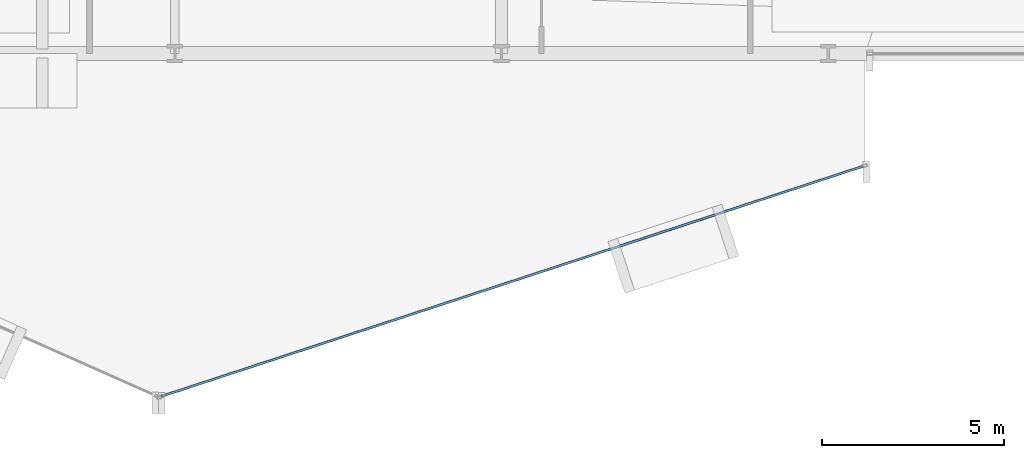
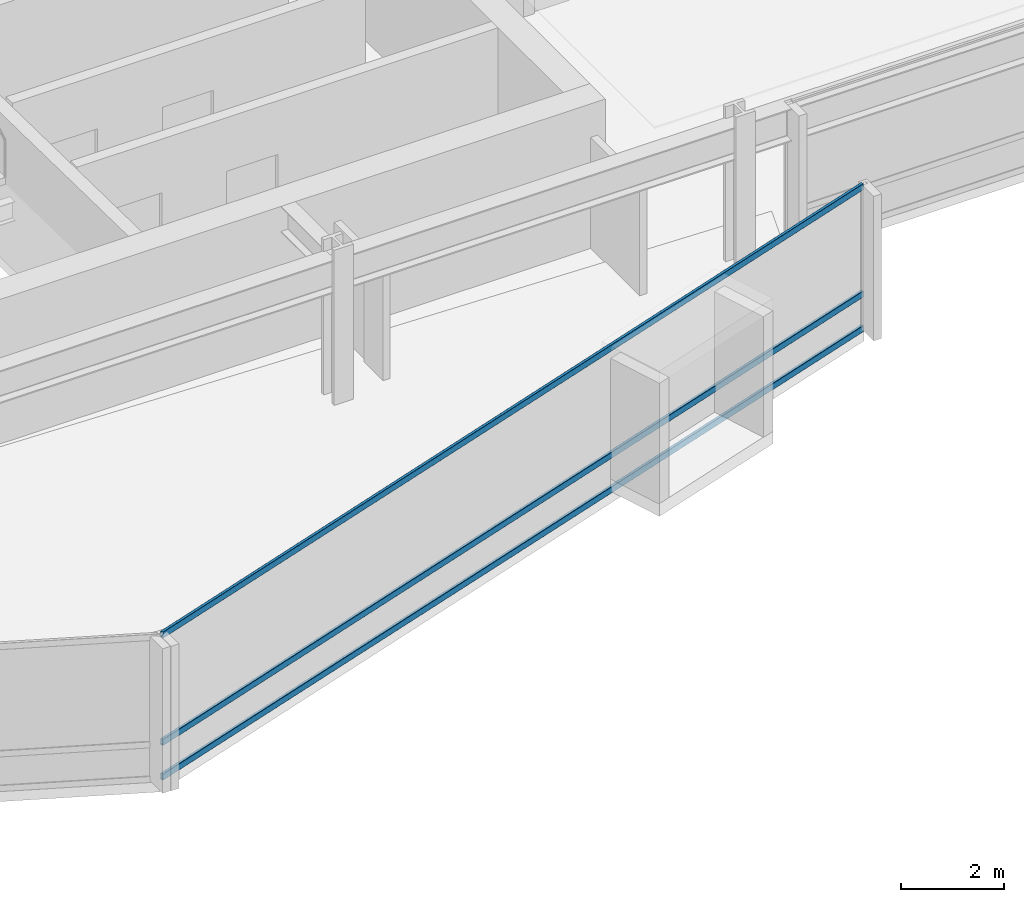
# One storey, part 9 of 34: 3 members, 1 element without a shape of its own.
"""IFC4 building model written with IfcOpenShell, lengths in metres."""

from ifc_helpers import new_model, si_unit, direction, frame, origin, origin_2d, place, context, subcontext, project, spatial, hollow_rectangle, extrude, material, layer, layer_set, material_profile, profile_set, type_object, element, aggregate, save


model = new_model("IFC4")

# Units and contexts
model_context = context("Model", 3, precision=1e-05, world=origin(), true_north=direction((0.0, 1.0)))
body_context = subcontext(model_context, "Body", "Model", "MODEL_VIEW")
ifc_project = project(units=[si_unit("LENGTHUNIT", "METRE"), si_unit("AREAUNIT", "SQUARE_METRE"), si_unit("VOLUMEUNIT", "CUBIC_METRE"), si_unit("PLANEANGLEUNIT", "RADIAN"), si_unit("MASSUNIT", "GRAM", prefix="KILO")], contexts=[model_context])

# Site, building, storey
site_placement = place(None, origin())
site = spatial("IfcSite", under=ifc_project, at=site_placement, CompositionType="ELEMENT")
building_placement = place(site_placement, origin())
building = spatial("IfcBuilding", under=site, at=building_placement, Name="Solvaryn Broadcast Tower", CompositionType="ELEMENT")
storey_placement = place(building_placement, frame((0.0, 0.0, 58.199951171875)))
storey = spatial("IfcBuildingStorey", under=building, at=storey_placement, Name="L13", CompositionType="ELEMENT", Elevation=58.199951171875)

# Curtain wall, members
ifc_material_1 = material(Name="Aluminium and Terracotta Unitised Curtain Wall", Category="masonry")
ifc_layer = layer(ifc_material_1, 0.199951171875)
ifc_layer_set = layer_set([ifc_layer], Name="CW-SYS2-LOWMID")
curtain_wall_type = type_object("IfcCurtainWallType", Name="CW-SYS2-LOWMID", PredefinedType="NOTDEFINED", material=ifc_layer_set)
curtain_wall_placement = place(storey_placement, origin())
curtain_wall = element("IfcCurtainWall", 1, at=curtain_wall_placement, inside=storey, type_object=curtain_wall_type, Name="L13 Curtain Wall DR4", PredefinedType="NOTDEFINED")
ifc_material_2 = material(Name="Anodised Aluminium 6063-T6", Category="aluminium")
ifc_material_profile = material_profile(ifc_material_2, hollow_rectangle(XDim=0.06494140625, YDim=0.14990234375, WallThickness=0.00390625, InnerFilletRadius=0.00390625, OuterFilletRadius=0.008056640625, at=origin_2d()))
ifc_profile_set = profile_set([ifc_material_profile], Name="Anodised Aluminium 6063-T6")
member_type = type_object("IfcMemberType", Name="CW-TRN-150", PredefinedType="USERDEFINED", material=ifc_profile_set)
member_1_placement = place(storey_placement, frame((26.616943359375, -0.4453125, 0.030029296875), z_axis=(0.950216792475, 0.311589549406, 0.0), x_axis=(-0.311589549406, 0.950216792475, 0.0)))
member_1 = element("IfcMember", 2, at=member_1_placement, type_object=member_type, Name="CWS2 transom 1.1", ObjectType="TRANSOM", PredefinedType="USERDEFINED", context=body_context, shape_type="SweptSolid", body=[
    extrude(hollow_rectangle(XDim=0.06494140625, YDim=0.14990234375, WallThickness=0.00390625, InnerFilletRadius=0.00390625, OuterFilletRadius=0.008056640625, at=origin_2d()), origin(), (0.0, 0.0, 1.0), 20.35546875),
])
member_2_placement = place(storey_placement, frame((26.616943359375, -0.4453125, 0.85009765625), z_axis=(0.950216792475, 0.311589549406, 0.0), x_axis=(-0.311589549406, 0.950216792475, 0.0)))
member_2 = element("IfcMember", 3, at=member_2_placement, type_object=member_type, Name="CWS2 transom 1.2", ObjectType="TRANSOM", PredefinedType="USERDEFINED", context=body_context, shape_type="SweptSolid", body=[
    extrude(hollow_rectangle(XDim=0.06494140625, YDim=0.14990234375, WallThickness=0.00390625, InnerFilletRadius=0.00390625, OuterFilletRadius=0.008056640625, at=origin_2d()), origin(), (0.0, 0.0, 1.0), 20.35546875),
])
member_3_placement = place(storey_placement, frame((26.616943359375, -0.4453125, 3.39013671875), z_axis=(0.950216792475, 0.311589549406, 0.0), x_axis=(-0.311589549406, 0.950216792475, 0.0)))
member_3 = element("IfcMember", 4, at=member_3_placement, type_object=member_type, Name="CWS2 transom 1.3", ObjectType="TRANSOM", PredefinedType="USERDEFINED", context=body_context, shape_type="SweptSolid", body=[
    extrude(hollow_rectangle(XDim=0.06494140625, YDim=0.14990234375, WallThickness=0.00390625, InnerFilletRadius=0.00390625, OuterFilletRadius=0.008056640625, at=origin_2d()), origin(), (0.0, 0.0, 1.0), 20.35546875),
])
aggregate(curtain_wall, [member_1, member_2, member_3])

save(model, "model.ifc")
